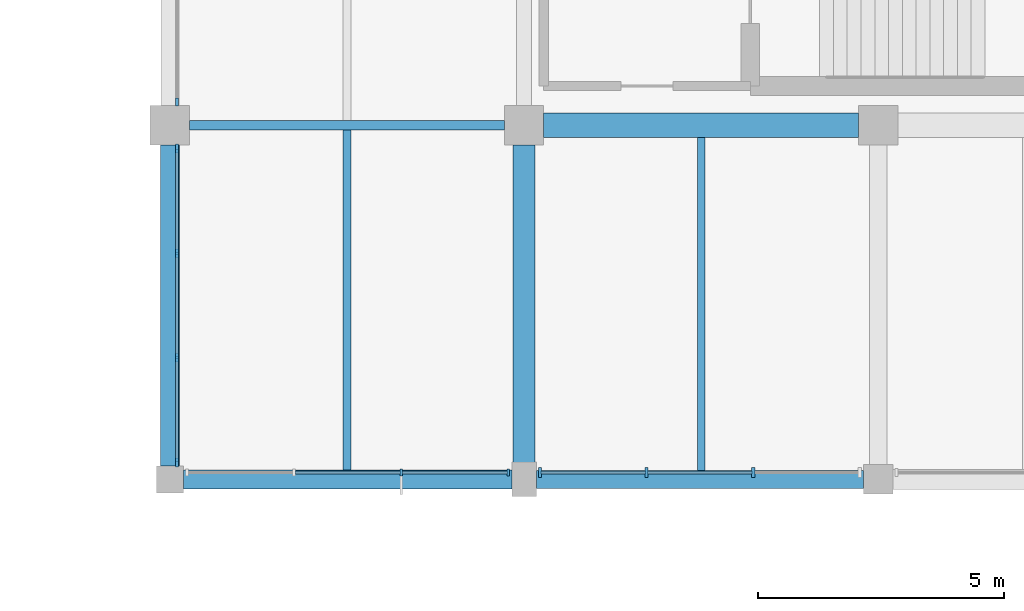
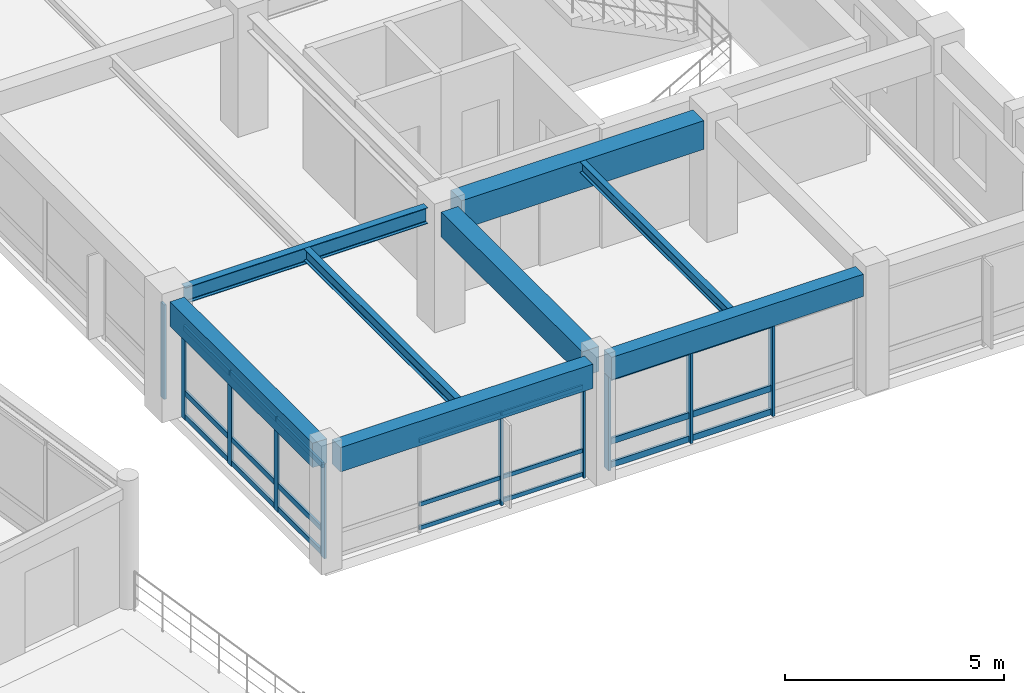
# One storey, part 35 of 74: 31 members, 8 beams, 4 elements without a shape of their own.
"""IFC4 building model written with IfcOpenShell, lengths in metres."""

from ifc_helpers import new_model, si_unit, direction, frame, origin, origin_2d, place, context, subcontext, project, spatial, rectangle, i_section, extrude, material, material_profile, profile_set, type_object, element, aggregate, save


model = new_model("IFC4")

# Units and contexts
model_context = context("Model", 3, precision=1e-05, world=origin(), true_north=direction((0.0, 1.0)))
body_context = subcontext(model_context, "Body", "Model", "MODEL_VIEW")
ifc_project = project(units=[si_unit("LENGTHUNIT", "METRE"), si_unit("AREAUNIT", "SQUARE_METRE"), si_unit("VOLUMEUNIT", "CUBIC_METRE"), si_unit("PLANEANGLEUNIT", "RADIAN"), si_unit("MASSUNIT", "GRAM", prefix="KILO")], contexts=[model_context])

# Site, building, storey
site_placement = place(None, origin())
site = spatial("IfcSite", under=ifc_project, at=site_placement, CompositionType="ELEMENT")
building_placement = place(site_placement, origin())
building = spatial("IfcBuilding", under=site, at=building_placement, Name="Clarverna Civic Hall", CompositionType="ELEMENT")
storey_placement = place(building_placement, frame((0.0, 0.0, 9.60009765625)))
storey = spatial("IfcBuildingStorey", under=building, at=storey_placement, Name="L02", CompositionType="ELEMENT", Elevation=9.60009765625)

# Beams
ifc_material_1 = material(Name="Concrete C35/45", Category="concrete")
ifc_material_profile_1 = material_profile(ifc_material_1, rectangle(XDim=0.5, YDim=0.800048828125, at=origin_2d()), Name="RC 500x800")
ifc_profile_set_1 = profile_set([ifc_material_profile_1], Name="Concrete C35/45")
beam_type_1 = type_object("IfcBeamType", Name="B-RC14", PredefinedType="BEAM", material=ifc_profile_set_1)
beam_1_placement = place(storey_placement, frame((155.199951171875, 78.800048828125, 2.919921875), z_axis=(1.0, 0.0, 0.0), x_axis=(0.0, 1.0, 0.0)))
element("IfcBeam", 1, at=beam_1_placement, inside=storey, type_object=beam_type_1, Name="B-RC14-026", PredefinedType="BEAM", context=body_context, shape_type="SweptSolid", body=[
    extrude(rectangle(XDim=0.5, YDim=0.800048828125, at=origin_2d()), origin(), (0.0, 0.0, 1.0), 6.400146484375),
])
ifc_material_profile_2 = material_profile(ifc_material_1, rectangle(XDim=0.449951171875, YDim=0.699951171875, at=origin_2d()), Name="RC 450x700")
ifc_profile_set_2 = profile_set([ifc_material_profile_2], Name="Concrete C35/45")
beam_type_2 = type_object("IfcBeamType", Name="B-RC4", PredefinedType="BEAM", material=ifc_profile_set_2)
beam_2_placement = place(storey_placement, frame((154.800048828125, 71.949951171875, 2.969970703125), z_axis=(0.0, 1.0, 0.0), x_axis=(-1.0, 0.0, 0.0)))
element("IfcBeam", 2, at=beam_2_placement, inside=storey, type_object=beam_type_2, Name="B-RC4-027", PredefinedType="BEAM", context=body_context, shape_type="SweptSolid", body=[
    extrude(rectangle(XDim=0.449951171875, YDim=0.699951171875, at=origin_2d()), origin(), (0.0, 0.0, 1.0), 6.449951171875),
])
ifc_material_profile_3 = material_profile(ifc_material_1, rectangle(XDim=0.3798828125, YDim=0.679931640625, at=origin_2d()), Name="RC 380x680")
ifc_profile_set_3 = profile_set([ifc_material_profile_3], Name="Concrete C35/45")
beam_type_3 = type_object("IfcBeamType", Name="B-SP2", PredefinedType="SPANDREL", material=ifc_profile_set_3)
beam_3_placement = place(storey_placement, frame((147.875, 71.60009765625, 2.97998046875), z_axis=(1.0, 0.0, 0.0), x_axis=(0.0, 1.0, 0.0)))
element("IfcBeam", 3, at=beam_3_placement, inside=storey, type_object=beam_type_3, Name="B-SP2-087", PredefinedType="SPANDREL", context=body_context, shape_type="SweptSolid", body=[
    extrude(rectangle(XDim=0.3798828125, YDim=0.679931640625, at=origin_2d()), origin(), (0.0, 0.0, 1.0), 6.675048828125),
])
beam_4_placement = place(storey_placement, frame((147.60009765625, 71.875, 2.97998046875), z_axis=(0.0, 1.0, 0.0), x_axis=(-1.0, 0.0, 0.0)))
element("IfcBeam", 4, at=beam_4_placement, inside=storey, type_object=beam_type_3, Name="B-SP2-107", PredefinedType="SPANDREL", context=body_context, shape_type="SweptSolid", body=[
    extrude(rectangle(XDim=0.3798828125, YDim=0.679931640625, at=origin_2d()), origin(), (0.0, 0.0, 1.0), 6.52490234375),
])
ifc_material_profile_4 = material_profile(ifc_material_1, rectangle(XDim=0.360107421875, YDim=0.6201171875, at=origin_2d()), Name="RC 360x620")
ifc_profile_set_4 = profile_set([ifc_material_profile_4], Name="Concrete C35/45")
beam_type_4 = type_object("IfcBeamType", Name="B-SP3", PredefinedType="SPANDREL", material=ifc_profile_set_4)
beam_5_placement = place(storey_placement, frame((155.050048828125, 71.60009765625, 3.010009765625), z_axis=(1.0, 0.0, 0.0), x_axis=(0.0, 1.0, 0.0)))
element("IfcBeam", 5, at=beam_5_placement, inside=storey, type_object=beam_type_4, Name="B-SP3-087", PredefinedType="SPANDREL", context=body_context, shape_type="SweptSolid", body=[
    extrude(rectangle(XDim=0.360107421875, YDim=0.6201171875, at=origin_2d()), origin(), (0.0, 0.0, 1.0), 6.64990234375),
])
ifc_material_2 = material(Name="Steel S355", Category="steel")
ifc_material_profile_5 = material_profile(ifc_material_2, i_section(OverallWidth=0.18994140625, OverallDepth=0.449951171875, WebThickness=0.009521484375, FlangeThickness=0.0146484375, FilletRadius=0.02099609375, at=origin_2d()), Name="IPE 450")
ifc_profile_set_5 = profile_set([ifc_material_profile_5], Name="Steel S355")
beam_type_5 = type_object("IfcBeamType", Name="B-ST13", PredefinedType="BEAM", material=ifc_profile_set_5)
beam_6_placement = place(storey_placement, frame((148.0, 78.800048828125, 3.094970703125), z_axis=(1.0, 0.0, 0.0), x_axis=(0.0, 1.0, 0.0)))
element("IfcBeam", 6, at=beam_6_placement, inside=storey, type_object=beam_type_5, Name="B-ST13-008", PredefinedType="BEAM", context=body_context, shape_type="SweptSolid", body=[
    extrude(i_section(OverallWidth=0.18994140625, OverallDepth=0.449951171875, WebThickness=0.009521484375, FlangeThickness=0.0146484375, FilletRadius=0.02099609375, at=origin_2d()), origin(), (0.0, 0.0, 1.0), 6.39990234375),
])

# Curtain wall, members
ifc_material_3 = material(Name="Anodised Bronze Architectural Aluminium", Category="aluminium")
curtain_wall_type = type_object("IfcCurtainWallType", Name="CW-01", PredefinedType="USERDEFINED", material=ifc_material_3)
curtain_wall_1_placement = place(storey_placement, origin())
curtain_wall_1 = element("IfcCurtainWall", 7, at=curtain_wall_1_placement, inside=storey, type_object=curtain_wall_type, Name="CW-01-047", ObjectType="UNITISED CURTAIN WALL", PredefinedType="USERDEFINED")
ifc_material_profile_6 = material_profile(ifc_material_3, rectangle(XDim=0.06005859375, YDim=0.179931640625, at=origin_2d()), Name="BRONZE 60x180")
ifc_profile_set_6 = profile_set([ifc_material_profile_6], Name="Anodised Bronze Architectural Aluminium")
member_type_1 = type_object("IfcMemberType", Name="CWM-01", PredefinedType="MULLION", material=ifc_profile_set_6)
member_1_placement = place(storey_placement, frame((147.739990234375, 71.947998046875, 0.0), z_axis=(0.0, 0.0, 1.0), x_axis=(1.0, 0.0, 0.0)))
member_1 = element("IfcMember", 8, at=member_1_placement, type_object=member_type_1, Name="CWM-01-085", PredefinedType="MULLION", context=body_context, shape_type="SweptSolid", body=[
    extrude(rectangle(XDim=0.06005859375, YDim=0.179931640625, at=origin_2d()), origin(), (0.0, 0.0, 1.0), 2.639892578125),
])
member_2_placement = place(storey_placement, frame((147.739990234375, 74.07421875, 0.0), z_axis=(0.0, 0.0, 1.0), x_axis=(1.0, 0.0, 0.0)))
member_2 = element("IfcMember", 9, at=member_2_placement, type_object=member_type_1, Name="CWM-01-086", PredefinedType="MULLION", context=body_context, shape_type="SweptSolid", body=[
    extrude(rectangle(XDim=0.06005859375, YDim=0.179931640625, at=origin_2d()), origin(), (0.0, 0.0, 1.0), 2.639892578125),
])
member_3_placement = place(storey_placement, frame((147.739990234375, 76.20068359375, 0.0), z_axis=(0.0, 0.0, 1.0), x_axis=(1.0, 0.0, 0.0)))
member_3 = element("IfcMember", 10, at=member_3_placement, type_object=member_type_1, Name="CWM-01-087", PredefinedType="MULLION", context=body_context, shape_type="SweptSolid", body=[
    extrude(rectangle(XDim=0.06005859375, YDim=0.179931640625, at=origin_2d()), origin(), (0.0, 0.0, 1.0), 2.639892578125),
])
member_4_placement = place(storey_placement, frame((147.739990234375, 78.326904296875, 0.0), z_axis=(0.0, 0.0, 1.0), x_axis=(1.0, 0.0, 0.0)))
member_4 = element("IfcMember", 11, at=member_4_placement, type_object=member_type_1, Name="CWM-01-088", PredefinedType="MULLION", context=body_context, shape_type="SweptSolid", body=[
    extrude(rectangle(XDim=0.06005859375, YDim=0.179931640625, at=origin_2d()), origin(), (0.0, 0.0, 1.0), 2.639892578125),
])

# Curtain wall, member
curtain_wall_2_placement = place(storey_placement, origin())
curtain_wall_2 = element("IfcCurtainWall", 12, at=curtain_wall_2_placement, inside=storey, type_object=curtain_wall_type, Name="CW-01-048", ObjectType="UNITISED CURTAIN WALL", PredefinedType="USERDEFINED")
ifc_material_profile_7 = material_profile(ifc_material_3, rectangle(XDim=0.06005859375, YDim=0.159912109375, at=origin_2d()), Name="BRONZE 60x160")
ifc_profile_set_7 = profile_set([ifc_material_profile_7], Name="Anodised Bronze Architectural Aluminium")
member_type_2 = type_object("IfcMemberType", Name="CWM-02", PredefinedType="MULLION", material=ifc_profile_set_7)
member_5_placement = place(storey_placement, frame((147.739990234375, 79.27294921875, 0.0), z_axis=(0.0, 0.0, 1.0), x_axis=(1.0, 0.0, 0.0)))
member_5 = element("IfcMember", 13, at=member_5_placement, type_object=member_type_2, Name="CWM-02-113", PredefinedType="MULLION", context=body_context, shape_type="SweptSolid", body=[
    extrude(rectangle(XDim=0.06005859375, YDim=0.159912109375, at=origin_2d()), origin(), (0.0, 0.0, 1.0), 2.639892578125),
])
aggregate(curtain_wall_2, [member_5])

# Curtain wall, members
curtain_wall_3_placement = place(storey_placement, origin())
curtain_wall_3 = element("IfcCurtainWall", 14, at=curtain_wall_3_placement, inside=storey, type_object=curtain_wall_type, Name="CW-01-045", ObjectType="UNITISED CURTAIN WALL", PredefinedType="USERDEFINED")
ifc_material_profile_8 = material_profile(ifc_material_3, rectangle(XDim=0.06494140625, YDim=0.199951171875, at=origin_2d()), Name="BRONZE 65x200")
ifc_profile_set_8 = profile_set([ifc_material_profile_8], Name="Anodised Bronze Architectural Aluminium")
member_type_3 = type_object("IfcMemberType", Name="CWM-03", PredefinedType="MULLION", material=ifc_profile_set_8)
member_6_placement = place(storey_placement, frame((159.458984375, 71.739990234375, 0.0), z_axis=(0.0, 0.0, 1.0), x_axis=(1.0, 0.0, 0.0)))
member_6 = element("IfcMember", 15, at=member_6_placement, type_object=member_type_3, Name="CWM-03-086", PredefinedType="MULLION", context=body_context, shape_type="SweptSolid", body=[
    extrude(rectangle(XDim=0.06494140625, YDim=0.199951171875, at=origin_2d()), origin(), (0.0, 0.0, 1.0), 2.619873046875),
])
member_7_placement = place(storey_placement, frame((157.291015625, 71.739990234375, 0.0), z_axis=(0.0, 0.0, 1.0), x_axis=(1.0, 0.0, 0.0)))
member_7 = element("IfcMember", 16, at=member_7_placement, type_object=member_type_3, Name="CWM-03-087", PredefinedType="MULLION", context=body_context, shape_type="SweptSolid", body=[
    extrude(rectangle(XDim=0.06494140625, YDim=0.199951171875, at=origin_2d()), origin(), (0.0, 0.0, 1.0), 2.619873046875),
])
member_8_placement = place(storey_placement, frame((155.123046875, 71.739990234375, 0.0), z_axis=(0.0, 0.0, 1.0), x_axis=(1.0, 0.0, 0.0)))
member_8 = element("IfcMember", 17, at=member_8_placement, type_object=member_type_3, Name="CWM-03-088", PredefinedType="MULLION", context=body_context, shape_type="SweptSolid", body=[
    extrude(rectangle(XDim=0.06494140625, YDim=0.199951171875, at=origin_2d()), origin(), (0.0, 0.0, 1.0), 2.619873046875),
])

curtain_wall_4_placement = place(storey_placement, origin())
curtain_wall_4 = element("IfcCurtainWall", 18, at=curtain_wall_4_placement, inside=storey, type_object=curtain_wall_type, Name="CW-01-046", ObjectType="UNITISED CURTAIN WALL", PredefinedType="USERDEFINED")
ifc_material_profile_9 = material_profile(ifc_material_3, rectangle(XDim=0.054931640625, YDim=0.139892578125, at=origin_2d()), Name="BRONZE 55x140")
ifc_profile_set_9 = profile_set([ifc_material_profile_9], Name="Anodised Bronze Architectural Aluminium")
member_type_4 = type_object("IfcMemberType", Name="CWM-04", PredefinedType="MULLION", material=ifc_profile_set_9)
member_9_placement = place(storey_placement, frame((154.47705078125, 71.739990234375, 0.0), z_axis=(0.0, 0.0, 1.0), x_axis=(1.0, 0.0, 0.0)))
member_9 = element("IfcMember", 19, at=member_9_placement, type_object=member_type_4, Name="CWM-04-114", PredefinedType="MULLION", context=body_context, shape_type="SweptSolid", body=[
    extrude(rectangle(XDim=0.054931640625, YDim=0.139892578125, at=origin_2d()), origin(), (0.0, 0.0, 1.0), 2.619873046875),
])
member_10_placement = place(storey_placement, frame((152.30078125, 71.739990234375, 0.0), z_axis=(0.0, 0.0, 1.0), x_axis=(1.0, 0.0, 0.0)))
member_10 = element("IfcMember", 20, at=member_10_placement, type_object=member_type_4, Name="CWM-04-115", PredefinedType="MULLION", context=body_context, shape_type="SweptSolid", body=[
    extrude(rectangle(XDim=0.054931640625, YDim=0.139892578125, at=origin_2d()), origin(), (0.0, 0.0, 1.0), 2.619873046875),
])

# Member
ifc_material_profile_10 = material_profile(ifc_material_3, rectangle(XDim=0.06005859375, YDim=0.14990234375, at=origin_2d()), Name="BRONZE 60x150")
ifc_profile_set_10 = profile_set([ifc_material_profile_10], Name="Anodised Bronze Architectural Aluminium")
member_type_5 = type_object("IfcMemberType", Name="CWT-01", PredefinedType="USERDEFINED", material=ifc_profile_set_10)
member_11_placement = place(storey_placement, frame((147.739990234375, 71.962890625, 0.094970703125), z_axis=(0.0, 1.0, 0.0), x_axis=(-1.0, 0.0, 0.0)))
member_11 = element("IfcMember", 21, at=member_11_placement, type_object=member_type_5, Name="CWT-01-178", ObjectType="TRANSOM", PredefinedType="USERDEFINED", context=body_context, shape_type="SweptSolid", body=[
    extrude(rectangle(XDim=0.06005859375, YDim=0.14990234375, at=origin_2d()), origin(), (0.0, 0.0, 1.0), 2.096435546875),
])

member_12_placement = place(storey_placement, frame((147.739990234375, 71.962890625, 0.75), z_axis=(0.0, 1.0, 0.0), x_axis=(-1.0, 0.0, 0.0)))
member_12 = element("IfcMember", 22, at=member_12_placement, type_object=member_type_5, Name="CWT-01-179", ObjectType="TRANSOM", PredefinedType="USERDEFINED", context=body_context, shape_type="SweptSolid", body=[
    extrude(rectangle(XDim=0.06005859375, YDim=0.14990234375, at=origin_2d()), origin(), (0.0, 0.0, 1.0), 2.096435546875),
])

member_13_placement = place(storey_placement, frame((147.739990234375, 71.962890625, 2.544921875), z_axis=(0.0, 1.0, 0.0), x_axis=(-1.0, 0.0, 0.0)))
member_13 = element("IfcMember", 23, at=member_13_placement, type_object=member_type_5, Name="CWT-01-180", ObjectType="TRANSOM", PredefinedType="USERDEFINED", context=body_context, shape_type="SweptSolid", body=[
    extrude(rectangle(XDim=0.06005859375, YDim=0.14990234375, at=origin_2d()), origin(), (0.0, 0.0, 1.0), 2.096435546875),
])

member_14_placement = place(storey_placement, frame((147.739990234375, 74.08935546875, 0.094970703125), z_axis=(0.0, 1.0, 0.0), x_axis=(-1.0, 0.0, 0.0)))
member_14 = element("IfcMember", 24, at=member_14_placement, type_object=member_type_5, Name="CWT-01-181", ObjectType="TRANSOM", PredefinedType="USERDEFINED", context=body_context, shape_type="SweptSolid", body=[
    extrude(rectangle(XDim=0.06005859375, YDim=0.14990234375, at=origin_2d()), origin(), (0.0, 0.0, 1.0), 2.096435546875),
])

member_15_placement = place(storey_placement, frame((147.739990234375, 74.08935546875, 0.75), z_axis=(0.0, 1.0, 0.0), x_axis=(-1.0, 0.0, 0.0)))
member_15 = element("IfcMember", 25, at=member_15_placement, type_object=member_type_5, Name="CWT-01-182", ObjectType="TRANSOM", PredefinedType="USERDEFINED", context=body_context, shape_type="SweptSolid", body=[
    extrude(rectangle(XDim=0.06005859375, YDim=0.14990234375, at=origin_2d()), origin(), (0.0, 0.0, 1.0), 2.096435546875),
])

member_16_placement = place(storey_placement, frame((147.739990234375, 74.08935546875, 2.544921875), z_axis=(0.0, 1.0, 0.0), x_axis=(-1.0, 0.0, 0.0)))
member_16 = element("IfcMember", 26, at=member_16_placement, type_object=member_type_5, Name="CWT-01-183", ObjectType="TRANSOM", PredefinedType="USERDEFINED", context=body_context, shape_type="SweptSolid", body=[
    extrude(rectangle(XDim=0.06005859375, YDim=0.14990234375, at=origin_2d()), origin(), (0.0, 0.0, 1.0), 2.096435546875),
])

member_17_placement = place(storey_placement, frame((147.739990234375, 76.2158203125, 0.094970703125), z_axis=(0.0, 1.0, 0.0), x_axis=(-1.0, 0.0, 0.0)))
member_17 = element("IfcMember", 27, at=member_17_placement, type_object=member_type_5, Name="CWT-01-184", ObjectType="TRANSOM", PredefinedType="USERDEFINED", context=body_context, shape_type="SweptSolid", body=[
    extrude(rectangle(XDim=0.06005859375, YDim=0.14990234375, at=origin_2d()), origin(), (0.0, 0.0, 1.0), 2.09619140625),
])

member_18_placement = place(storey_placement, frame((147.739990234375, 76.2158203125, 0.75), z_axis=(0.0, 1.0, 0.0), x_axis=(-1.0, 0.0, 0.0)))
member_18 = element("IfcMember", 28, at=member_18_placement, type_object=member_type_5, Name="CWT-01-185", ObjectType="TRANSOM", PredefinedType="USERDEFINED", context=body_context, shape_type="SweptSolid", body=[
    extrude(rectangle(XDim=0.06005859375, YDim=0.14990234375, at=origin_2d()), origin(), (0.0, 0.0, 1.0), 2.09619140625),
])

member_19_placement = place(storey_placement, frame((147.739990234375, 76.2158203125, 2.544921875), z_axis=(0.0, 1.0, 0.0), x_axis=(-1.0, 0.0, 0.0)))
member_19 = element("IfcMember", 29, at=member_19_placement, type_object=member_type_5, Name="CWT-01-186", ObjectType="TRANSOM", PredefinedType="USERDEFINED", context=body_context, shape_type="SweptSolid", body=[
    extrude(rectangle(XDim=0.06005859375, YDim=0.14990234375, at=origin_2d()), origin(), (0.0, 0.0, 1.0), 2.09619140625),
])

aggregate(curtain_wall_1, [member_1, member_2, member_3, member_4, member_11, member_12, member_13, member_14, member_15, member_16, member_17, member_18, member_19])

ifc_material_profile_11 = material_profile(ifc_material_3, rectangle(XDim=0.06494140625, YDim=0.169921875, at=origin_2d()), Name="BRONZE 65x170")
ifc_profile_set_11 = profile_set([ifc_material_profile_11], Name="Anodised Bronze Architectural Aluminium")
member_type_6 = type_object("IfcMemberType", Name="CWT-03", PredefinedType="USERDEFINED", material=ifc_profile_set_11)
member_20_placement = place(storey_placement, frame((159.444091796875, 71.739990234375, 0.094970703125), z_axis=(-1.0, 0.0, 0.0), x_axis=(0.0, -1.0, 0.0)))
member_20 = element("IfcMember", 30, at=member_20_placement, type_object=member_type_6, Name="CWT-03-181", ObjectType="TRANSOM", PredefinedType="USERDEFINED", context=body_context, shape_type="SweptSolid", body=[
    extrude(rectangle(XDim=0.06494140625, YDim=0.169921875, at=origin_2d()), origin(), (0.0, 0.0, 1.0), 2.13818359375),
])

member_21_placement = place(storey_placement, frame((159.444091796875, 71.739990234375, 0.75), z_axis=(-1.0, 0.0, 0.0), x_axis=(0.0, -1.0, 0.0)))
member_21 = element("IfcMember", 31, at=member_21_placement, type_object=member_type_6, Name="CWT-03-182", ObjectType="TRANSOM", PredefinedType="USERDEFINED", context=body_context, shape_type="SweptSolid", body=[
    extrude(rectangle(XDim=0.06494140625, YDim=0.169921875, at=origin_2d()), origin(), (0.0, 0.0, 1.0), 2.13818359375),
])

member_22_placement = place(storey_placement, frame((159.444091796875, 71.739990234375, 2.52490234375), z_axis=(-1.0, 0.0, 0.0), x_axis=(0.0, -1.0, 0.0)))
member_22 = element("IfcMember", 32, at=member_22_placement, type_object=member_type_6, Name="CWT-03-183", ObjectType="TRANSOM", PredefinedType="USERDEFINED", context=body_context, shape_type="SweptSolid", body=[
    extrude(rectangle(XDim=0.06494140625, YDim=0.169921875, at=origin_2d()), origin(), (0.0, 0.0, 1.0), 2.13818359375),
])

member_23_placement = place(storey_placement, frame((157.27587890625, 71.739990234375, 0.094970703125), z_axis=(-1.0, 0.0, 0.0), x_axis=(0.0, -1.0, 0.0)))
member_23 = element("IfcMember", 33, at=member_23_placement, type_object=member_type_6, Name="CWT-03-184", ObjectType="TRANSOM", PredefinedType="USERDEFINED", context=body_context, shape_type="SweptSolid", body=[
    extrude(rectangle(XDim=0.06494140625, YDim=0.169921875, at=origin_2d()), origin(), (0.0, 0.0, 1.0), 2.137939453125),
])

member_24_placement = place(storey_placement, frame((157.27587890625, 71.739990234375, 0.75), z_axis=(-1.0, 0.0, 0.0), x_axis=(0.0, -1.0, 0.0)))
member_24 = element("IfcMember", 34, at=member_24_placement, type_object=member_type_6, Name="CWT-03-185", ObjectType="TRANSOM", PredefinedType="USERDEFINED", context=body_context, shape_type="SweptSolid", body=[
    extrude(rectangle(XDim=0.06494140625, YDim=0.169921875, at=origin_2d()), origin(), (0.0, 0.0, 1.0), 2.137939453125),
])

member_25_placement = place(storey_placement, frame((157.27587890625, 71.739990234375, 2.52490234375), z_axis=(-1.0, 0.0, 0.0), x_axis=(0.0, -1.0, 0.0)))
member_25 = element("IfcMember", 35, at=member_25_placement, type_object=member_type_6, Name="CWT-03-186", ObjectType="TRANSOM", PredefinedType="USERDEFINED", context=body_context, shape_type="SweptSolid", body=[
    extrude(rectangle(XDim=0.06494140625, YDim=0.169921875, at=origin_2d()), origin(), (0.0, 0.0, 1.0), 2.137939453125),
])

aggregate(curtain_wall_3, [member_6, member_7, member_8, member_20, member_21, member_22, member_23, member_24, member_25])

ifc_material_profile_12 = material_profile(ifc_material_3, rectangle(XDim=0.054931640625, YDim=0.110107421875, at=origin_2d()), Name="BRONZE 55x110")
ifc_profile_set_12 = profile_set([ifc_material_profile_12], Name="Anodised Bronze Architectural Aluminium")
member_type_7 = type_object("IfcMemberType", Name="CWT-04", PredefinedType="USERDEFINED", material=ifc_profile_set_12)
member_26_placement = place(storey_placement, frame((154.4619140625, 71.739990234375, 0.094970703125), z_axis=(-1.0, 0.0, 0.0), x_axis=(0.0, -1.0, 0.0)))
member_26 = element("IfcMember", 36, at=member_26_placement, type_object=member_type_7, Name="CWT-04-238", ObjectType="TRANSOM", PredefinedType="USERDEFINED", context=body_context, shape_type="SweptSolid", body=[
    extrude(rectangle(XDim=0.054931640625, YDim=0.110107421875, at=origin_2d()), origin(), (0.0, 0.0, 1.0), 2.146240234375),
])

member_27_placement = place(storey_placement, frame((154.4619140625, 71.739990234375, 0.75), z_axis=(-1.0, 0.0, 0.0), x_axis=(0.0, -1.0, 0.0)))
member_27 = element("IfcMember", 37, at=member_27_placement, type_object=member_type_7, Name="CWT-04-239", ObjectType="TRANSOM", PredefinedType="USERDEFINED", context=body_context, shape_type="SweptSolid", body=[
    extrude(rectangle(XDim=0.054931640625, YDim=0.110107421875, at=origin_2d()), origin(), (0.0, 0.0, 1.0), 2.146240234375),
])

member_28_placement = place(storey_placement, frame((154.4619140625, 71.739990234375, 2.52490234375), z_axis=(-1.0, 0.0, 0.0), x_axis=(0.0, -1.0, 0.0)))
member_28 = element("IfcMember", 38, at=member_28_placement, type_object=member_type_7, Name="CWT-04-240", ObjectType="TRANSOM", PredefinedType="USERDEFINED", context=body_context, shape_type="SweptSolid", body=[
    extrude(rectangle(XDim=0.054931640625, YDim=0.110107421875, at=origin_2d()), origin(), (0.0, 0.0, 1.0), 2.146240234375),
])

member_29_placement = place(storey_placement, frame((152.28564453125, 71.739990234375, 0.094970703125), z_axis=(-1.0, 0.0, 0.0), x_axis=(0.0, -1.0, 0.0)))
member_29 = element("IfcMember", 39, at=member_29_placement, type_object=member_type_7, Name="CWT-04-241", ObjectType="TRANSOM", PredefinedType="USERDEFINED", context=body_context, shape_type="SweptSolid", body=[
    extrude(rectangle(XDim=0.054931640625, YDim=0.110107421875, at=origin_2d()), origin(), (0.0, 0.0, 1.0), 2.146240234375),
])

member_30_placement = place(storey_placement, frame((152.28564453125, 71.739990234375, 0.75), z_axis=(-1.0, 0.0, 0.0), x_axis=(0.0, -1.0, 0.0)))
member_30 = element("IfcMember", 40, at=member_30_placement, type_object=member_type_7, Name="CWT-04-242", ObjectType="TRANSOM", PredefinedType="USERDEFINED", context=body_context, shape_type="SweptSolid", body=[
    extrude(rectangle(XDim=0.054931640625, YDim=0.110107421875, at=origin_2d()), origin(), (0.0, 0.0, 1.0), 2.146240234375),
])

member_31_placement = place(storey_placement, frame((152.28564453125, 71.739990234375, 2.52490234375), z_axis=(-1.0, 0.0, 0.0), x_axis=(0.0, -1.0, 0.0)))
member_31 = element("IfcMember", 41, at=member_31_placement, type_object=member_type_7, Name="CWT-04-243", ObjectType="TRANSOM", PredefinedType="USERDEFINED", context=body_context, shape_type="SweptSolid", body=[
    extrude(rectangle(XDim=0.054931640625, YDim=0.110107421875, at=origin_2d()), origin(), (0.0, 0.0, 1.0), 2.146240234375),
])

aggregate(curtain_wall_4, [member_9, member_10, member_26, member_27, member_28, member_29, member_30, member_31])

# Beams
ifc_material_profile_13 = material_profile(ifc_material_2, i_section(OverallWidth=0.159912109375, OverallDepth=0.330078125, WebThickness=0.007568359375, FlangeThickness=0.011474609375, FilletRadius=0.01806640625, at=origin_2d()), Name="IPE 330")
ifc_profile_set_13 = profile_set([ifc_material_profile_13], Name="Steel S355")
beam_type_6 = type_object("IfcBeamType", Name="J-ST2", PredefinedType="JOIST", material=ifc_profile_set_13)
beam_7_placement = place(storey_placement, frame((151.199951171875, 71.7900390625, 3.15478515625), z_axis=(0.0, 1.0, 0.0), x_axis=(-1.0, 0.0, 0.0)))
element("IfcBeam", 42, at=beam_7_placement, inside=storey, type_object=beam_type_6, Name="J-ST2-053", PredefinedType="JOIST", context=body_context, shape_type="SweptSolid", body=[
    extrude(i_section(OverallWidth=0.159912109375, OverallDepth=0.330078125, WebThickness=0.007568359375, FlangeThickness=0.011474609375, FilletRadius=0.01806640625, at=origin_2d()), origin(), (0.0, 0.0, 1.0), 6.9150390625),
])
ifc_material_profile_14 = material_profile(ifc_material_2, i_section(OverallWidth=0.14990234375, OverallDepth=0.300048828125, WebThickness=0.007080078125, FlangeThickness=0.0107421875, FilletRadius=0.014892578125, at=origin_2d()), Name="IPE 300")
ifc_profile_set_14 = profile_set([ifc_material_profile_14], Name="Steel S355")
beam_type_7 = type_object("IfcBeamType", Name="J-ST3", PredefinedType="JOIST", material=ifc_profile_set_14)
beam_8_placement = place(storey_placement, frame((158.39990234375, 71.780029296875, 3.169921875), z_axis=(0.0, 1.0, 0.0), x_axis=(-1.0, 0.0, 0.0)))
element("IfcBeam", 43, at=beam_8_placement, inside=storey, type_object=beam_type_7, Name="J-ST3-053", PredefinedType="JOIST", context=body_context, shape_type="SweptSolid", body=[
    extrude(i_section(OverallWidth=0.14990234375, OverallDepth=0.300048828125, WebThickness=0.007080078125, FlangeThickness=0.0107421875, FilletRadius=0.014892578125, at=origin_2d()), origin(), (0.0, 0.0, 1.0), 6.77001953125),
])

save(model, "model.ifc")
